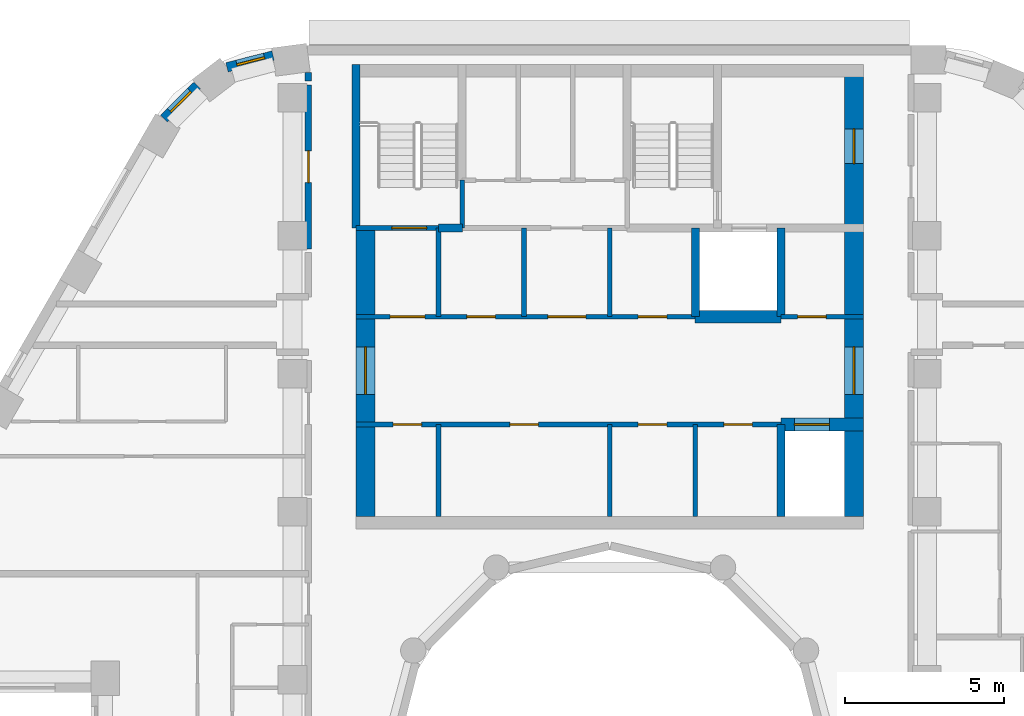
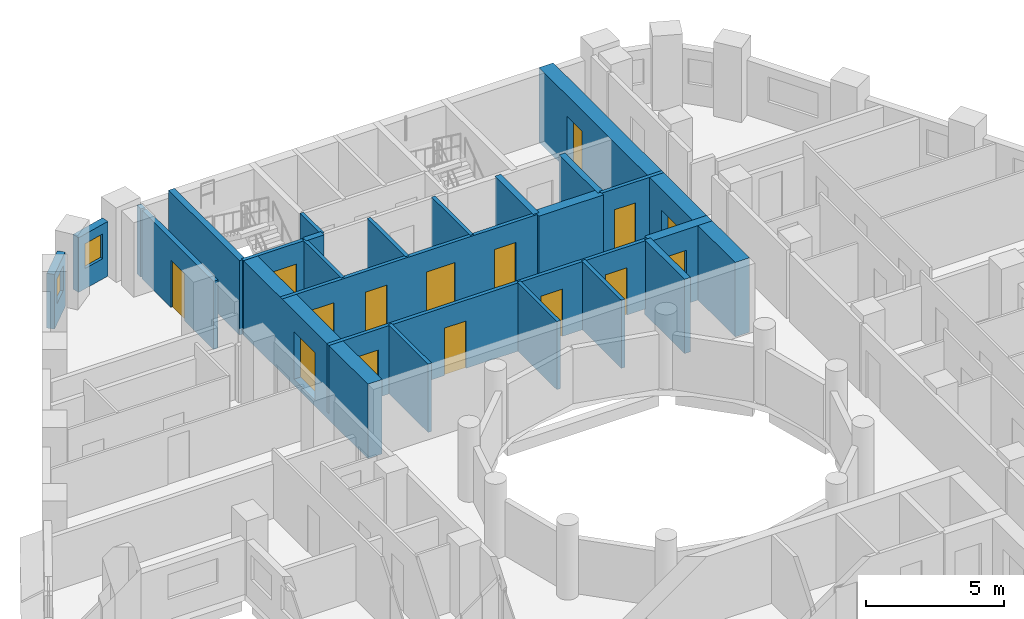
# One storey, part 7 of 12: 24 walls, 15 doors, 2 windows, 17 openings.
"""IFC4 building model written with IfcOpenShell, lengths in metres."""

from ifc_helpers import new_model, si_unit, direction, frame, frame_2d, origin, place, context, subcontext, project, spatial, rectangle, extrude, material, layer, layer_set, type_object, element, fill, save


model = new_model("IFC4")

# Units and contexts
model_context = context("Model", 3, precision=1e-05, world=origin(), true_north=direction((0.0, 1.0)))
body_context = subcontext(model_context, "Body", "Model", "MODEL_VIEW")
ifc_project = project(units=[si_unit("LENGTHUNIT", "METRE"), si_unit("AREAUNIT", "SQUARE_METRE"), si_unit("VOLUMEUNIT", "CUBIC_METRE"), si_unit("PLANEANGLEUNIT", "RADIAN"), si_unit("MASSUNIT", "GRAM", prefix="KILO")], contexts=[model_context])

# Site, building, storey
site_placement = place(None, origin())
site = spatial("IfcSite", under=ifc_project, at=site_placement, CompositionType="ELEMENT")
building_placement = place(site_placement, origin())
building = spatial("IfcBuilding", under=site, at=building_placement, Name="Nakaniwa Court", CompositionType="ELEMENT")
storey_placement = place(building_placement, frame((0.0, 0.0, 249.300048828125)))
storey = spatial("IfcBuildingStorey", under=building, at=storey_placement, Name="L65", CompositionType="ELEMENT", Elevation=249.300048828125)

# Wall, opening, door
ifc_material_1 = material(Name="Acoustic double stud partition")
ifc_layer_1 = layer(ifc_material_1, 0.199951171875)
ifc_layer_set_1 = layer_set([ifc_layer_1], Name="Acoustic double stud partition")
wall_type_1 = type_object("IfcWallType", Name="Acoustic double stud partition 200", PredefinedType="PARTITIONING", material=ifc_layer_set_1)
wall_1_placement = place(storey_placement, frame((70.5, 96.237060546875, 0.0), z_axis=(0.0, 0.0, 1.0), x_axis=(0.0, 1.0, 0.0)))
wall_1 = element("IfcWall", 1, at=wall_1_placement, inside=storey, type_object=wall_type_1, Name="Partition PW-094", PredefinedType="PARTITIONING", context=body_context, shape_type="SweptSolid", body=[
    extrude(rectangle(XDim=5.176025390625, YDim=0.199951171875, at=frame_2d((2.587890625, 0.0))), origin(), (0.0, 0.0, 1.0), 3.02490234375),
])
opening_1_placement = place(wall_1_placement, frame((2.087890625, 0.0, 0.0)))
opening_1 = element("IfcOpeningElement", 2, at=opening_1_placement, cuts=wall_1, Name="Opening D-02-06", PredefinedType="OPENING", context=body_context, shape_type="SweptSolid", body=[
    extrude(rectangle(XDim=1.0, YDim=2.10009765625, at=frame_2d((0.5, 1.050048828125))), frame((0.0, 0.10986328125, 0.0), z_axis=(0.0, -1.0, 0.0), x_axis=(1.0, 0.0, 0.0)), (0.0, 0.0, 1.0), 0.219970703125),
])
ifc_material_2 = material(Name="Solid core timber door set, black veneer", Category="wood")
door_type_1 = type_object("IfcDoorType", Name="Internal door 1000", OperationType="NOTDEFINED", PredefinedType="DOOR", material=ifc_material_2)
door_1_placement = place(opening_1_placement, origin())
door_1 = element("IfcDoor", 3, at=door_1_placement, inside=storey, type_object=door_type_1, Name="Door D-02-06 L65-062", OperationType="SINGLE_SWING_LEFT", OverallHeight=2.10009765625, OverallWidth=1.0, PredefinedType="DOOR", context=body_context, shape_type="SweptSolid", body=[
    extrude(rectangle(XDim=1.0, YDim=2.10009765625, at=frame_2d((0.5, 1.050048828125))), frame((0.0, 0.02490234375, 0.0), z_axis=(0.0, -1.0, 0.0), x_axis=(1.0, 0.0, 0.0)), (0.0, 0.0, 1.0), 0.050048828125),
])
fill(opening_1, door_1)

# Wall
wall_2_placement = place(storey_placement, frame((70.5, 101.527099609375, 0.0), z_axis=(0.0, 0.0, 1.0), x_axis=(0.0, 1.0, 0.0)))
element("IfcWall", 4, at=wall_2_placement, inside=storey, type_object=wall_type_1, Name="Partition PW-095", PredefinedType="PARTITIONING", context=body_context, shape_type="SweptSolid", body=[
    extrude(rectangle(XDim=0.273681640625, YDim=0.199951171875, at=frame_2d((0.13671875, 0.0))), origin(), (0.0, 0.0, 1.0), 3.02490234375),
])

# Wall, opening, window
ifc_material_3 = material(Name="Charcoal ceramic cladding")
ifc_layer_2 = layer(ifc_material_3, 0.02, Name="Ceramic cladding")
ifc_material_4 = material(Name="Ventilated air cavity")
ifc_layer_3 = layer(ifc_material_4, 0.04, ventilated=True, Name="Ventilated cavity")
ifc_material_5 = material(Name="Mineral wool insulation")
ifc_layer_4 = layer(ifc_material_5, 0.1, Name="Insulation")
ifc_material_6 = material(Name="Cement bonded sheathing board")
ifc_layer_5 = layer(ifc_material_6, 0.012, Name="Sheathing")
ifc_material_7 = material(Name="Cold-formed galvanised stud frame with mineral wool infill")
ifc_layer_6 = layer(ifc_material_7, 0.1, Name="Stud frame")
ifc_material_8 = material(Name="Fire-rated gypsum plasterboard lining")
ifc_layer_7 = layer(ifc_material_8, 0.028, Name="Lining")
ifc_layer_set_2 = layer_set([ifc_layer_2, ifc_layer_3, ifc_layer_4, ifc_layer_5, ifc_layer_6, ifc_layer_7], Name="Charcoal ceramic faced external wall system")
wall_type_2 = type_object("IfcWallType", Name="Black ceramic faced external wall 300", PredefinedType="SOLIDWALL", material=ifc_layer_set_2)
wall_3_placement = place(storey_placement, frame((69.386474609375, 102.333251953125, 0.0), z_axis=(0.0, 0.0, 1.0), x_axis=(-0.968895303033, -0.247470991757, 0.0)))
wall_3 = element("IfcWall", 5, at=wall_3_placement, inside=storey, type_object=wall_type_2, Name="L65 external wall 09", PredefinedType="SOLIDWALL", context=body_context, shape_type="SweptSolid", body=[
    extrude(rectangle(XDim=1.50048828125, YDim=0.300048828125, at=frame_2d((0.750244140625, 0.0))), origin(), (0.0, 0.0, 1.0), 2.425048828125),
])
opening_2_placement = place(wall_3_placement, frame((0.27587890625, 0.0, 0.89990234375)))
opening_2 = element("IfcOpeningElement", 6, at=opening_2_placement, cuts=wall_3, Name="Opening W9.10", PredefinedType="OPENING", context=body_context, shape_type="SweptSolid", body=[
    extrude(rectangle(XDim=0.89990234375, YDim=1.10009765625, at=frame_2d((0.449951171875, 0.550048828125))), frame((0.0, 0.159912109375, 0.0), z_axis=(0.0, -1.0, 0.0), x_axis=(1.0, 0.0, 0.0)), (0.0, 0.0, 1.0), 0.320068359375),
])
ifc_material_9 = material(Name="Black anodised aluminium frame with dark low-E laminated double glazing", Category="aluminium")
window_type = type_object("IfcWindowType", Name="Dark glass window 900x1100 sill 900", PartitioningType="SINGLE_PANEL", PredefinedType="WINDOW", material=ifc_material_9)
window_1_placement = place(opening_2_placement, origin())
window_1 = element("IfcWindow", 7, at=window_1_placement, inside=storey, type_object=window_type, Name="L65 habitable room window 09-0", OverallHeight=1.10009765625, OverallWidth=0.89990234375, PartitioningType="SINGLE_PANEL", PredefinedType="WINDOW", context=body_context, shape_type="SweptSolid", body=[
    extrude(rectangle(XDim=0.89990234375, YDim=1.10009765625, at=frame_2d((0.449951171875, 0.550048828125))), frame((0.0, 0.030029296875, 0.0), z_axis=(0.0, -1.0, 0.0), x_axis=(1.0, 0.0, 0.0)), (0.0, 0.0, 1.0), 0.06005859375),
])
fill(opening_2, window_1)

wall_4_placement = place(storey_placement, frame((66.99560546875, 101.388427734375, 0.0), z_axis=(0.0, 0.0, 1.0), x_axis=(-0.708589353117, -0.705621094249, 0.0)))
wall_4 = element("IfcWall", 8, at=wall_4_placement, inside=storey, type_object=wall_type_2, Name="L65 external wall 10", PredefinedType="SOLIDWALL", context=body_context, shape_type="SweptSolid", body=[
    extrude(rectangle(XDim=1.48046875, YDim=0.300048828125, at=frame_2d((0.740234375, 0.0))), origin(), (0.0, 0.0, 1.0), 2.425048828125),
])
opening_3_placement = place(wall_4_placement, frame((0.27978515625, 0.0, 0.89990234375)))
opening_3 = element("IfcOpeningElement", 9, at=opening_3_placement, cuts=wall_4, Name="Opening W9.11", PredefinedType="OPENING", context=body_context, shape_type="SweptSolid", body=[
    extrude(rectangle(XDim=0.89990234375, YDim=1.10009765625, at=frame_2d((0.449951171875, 0.550048828125))), frame((0.0, 0.159912109375, 0.0), z_axis=(0.0, -1.0, 0.0), x_axis=(1.0, 0.0, 0.0)), (0.0, 0.0, 1.0), 0.320068359375),
])
window_2_placement = place(opening_3_placement, origin())
window_2 = element("IfcWindow", 10, at=window_2_placement, inside=storey, type_object=window_type, Name="L65 habitable room window 10-0", OverallHeight=1.10009765625, OverallWidth=0.89990234375, PartitioningType="SINGLE_PANEL", PredefinedType="WINDOW", context=body_context, shape_type="SweptSolid", body=[
    extrude(rectangle(XDim=0.89990234375, YDim=1.10009765625, at=frame_2d((0.449951171875, 0.550048828125))), frame((0.0, 0.030029296875, 0.0), z_axis=(0.0, -1.0, 0.0), x_axis=(1.0, 0.0, 0.0)), (0.0, 0.0, 1.0), 0.06005859375),
])
fill(opening_3, window_2)

# Walls
ifc_material_10 = material(Name="Blockwork partition", Category="masonry")
ifc_layer_8 = layer(ifc_material_10, 0.14990234375)
ifc_layer_set_3 = layer_set([ifc_layer_8], Name="Blockwork partition")
wall_type_3 = type_object("IfcWallType", Name="Blockwork partition 150", PredefinedType="PARTITIONING", material=ifc_layer_set_3)
wall_5_placement = place(storey_placement, frame((74.60009765625, 87.800048828125, 0.0), z_axis=(0.0, 0.0, 1.0), x_axis=(0.0, 1.0, 0.0)))
element("IfcWall", 11, at=wall_5_placement, inside=storey, type_object=wall_type_3, Name="Partition PW-001", PredefinedType="PARTITIONING", context=body_context, shape_type="SweptSolid", body=[
    extrude(rectangle(XDim=2.89990234375, YDim=0.14990234375, at=frame_2d((1.449951171875, 0.0))), origin(), (0.0, 0.0, 1.0), 3.02490234375),
])
wall_6_placement = place(storey_placement, frame((74.60009765625, 94.10009765625, 0.0), z_axis=(0.0, 0.0, 1.0), x_axis=(0.0, 1.0, 0.0)))
element("IfcWall", 12, at=wall_6_placement, inside=storey, type_object=wall_type_3, Name="Partition PW-002", PredefinedType="PARTITIONING", context=body_context, shape_type="SweptSolid", body=[
    extrude(rectangle(XDim=2.7998046875, YDim=0.14990234375, at=frame_2d((1.39990234375, 0.0))), origin(), (0.0, 0.0, 1.0), 3.02490234375),
])

# Wall, openings, doors
wall_7_placement = place(storey_placement, frame((85.39990234375, 90.699951171875, 0.0), z_axis=(0.0, 0.0, 1.0), x_axis=(-1.0, 0.0, 0.0)))
wall_7 = element("IfcWall", 13, at=wall_7_placement, inside=storey, type_object=wall_type_3, Name="Partition PW-003", PredefinedType="PARTITIONING", context=body_context, shape_type="SweptSolid", body=[
    extrude(rectangle(XDim=13.39990234375, YDim=0.14990234375, at=frame_2d((6.699951171875, 0.0))), origin(), (0.0, 0.0, 1.0), 3.02490234375),
])
opening_4_placement = place(wall_7_placement, frame((11.324951171875, 0.0, 0.0)))
opening_4 = element("IfcOpeningElement", 14, at=opening_4_placement, cuts=wall_7, Name="Opening D-05-01", PredefinedType="OPENING", context=body_context, shape_type="SweptSolid", body=[
    extrude(rectangle(XDim=0.89990234375, YDim=2.10009765625, at=frame_2d((0.449951171875, 1.050048828125))), frame((0.0, 0.0849609375, 0.0), z_axis=(0.0, -1.0, 0.0), x_axis=(1.0, 0.0, 0.0)), (0.0, 0.0, 1.0), 0.169921875),
])
opening_5_placement = place(wall_7_placement, frame((7.64990234375, 0.0, 0.0)))
opening_5 = element("IfcOpeningElement", 15, at=opening_5_placement, cuts=wall_7, Name="Opening D-05-02", PredefinedType="OPENING", context=body_context, shape_type="SweptSolid", body=[
    extrude(rectangle(XDim=0.89990234375, YDim=2.10009765625, at=frame_2d((0.449951171875, 1.050048828125))), frame((0.0, 0.0849609375, 0.0), z_axis=(0.0, -1.0, 0.0), x_axis=(1.0, 0.0, 0.0)), (0.0, 0.0, 1.0), 0.169921875),
])
opening_6_placement = place(wall_7_placement, frame((3.60009765625, 0.0, 0.0)))
opening_6 = element("IfcOpeningElement", 16, at=opening_6_placement, cuts=wall_7, Name="Opening D-05-03", PredefinedType="OPENING", context=body_context, shape_type="SweptSolid", body=[
    extrude(rectangle(XDim=0.89990234375, YDim=2.10009765625, at=frame_2d((0.449951171875, 1.050048828125))), frame((0.0, 0.0849609375, 0.0), z_axis=(0.0, -1.0, 0.0), x_axis=(1.0, 0.0, 0.0)), (0.0, 0.0, 1.0), 0.169921875),
])
opening_7_placement = place(wall_7_placement, frame((0.89990234375, 0.0, 0.0)))
opening_7 = element("IfcOpeningElement", 17, at=opening_7_placement, cuts=wall_7, Name="Opening D-05-04", PredefinedType="OPENING", context=body_context, shape_type="SweptSolid", body=[
    extrude(rectangle(XDim=0.89990234375, YDim=2.10009765625, at=frame_2d((0.449951171875, 1.050048828125))), frame((0.0, 0.0849609375, 0.0), z_axis=(0.0, -1.0, 0.0), x_axis=(1.0, 0.0, 0.0)), (0.0, 0.0, 1.0), 0.169921875),
])
ifc_material_11 = material(Name="Fire rated steel door set", Category="steel")
door_type_2 = type_object("IfcDoorType", Name="Service room door 900", OperationType="NOTDEFINED", PredefinedType="DOOR", material=ifc_material_11)
door_2_placement = place(opening_4_placement, origin())
door_2 = element("IfcDoor", 18, at=door_2_placement, inside=storey, type_object=door_type_2, Name="Door D-05-01 L65-001", OperationType="SINGLE_SWING_RIGHT", OverallHeight=2.10009765625, OverallWidth=0.89990234375, PredefinedType="DOOR", context=body_context, shape_type="SweptSolid", body=[
    extrude(rectangle(XDim=0.89990234375, YDim=2.10009765625, at=frame_2d((0.449951171875, 1.050048828125))), frame((0.0, 0.02490234375, 0.0), z_axis=(0.0, -1.0, 0.0), x_axis=(1.0, 0.0, 0.0)), (0.0, 0.0, 1.0), 0.050048828125),
])
fill(opening_4, door_2)
door_3_placement = place(opening_5_placement, origin())
door_3 = element("IfcDoor", 19, at=door_3_placement, inside=storey, type_object=door_type_2, Name="Door D-05-02 L65-002", OperationType="SINGLE_SWING_LEFT", OverallHeight=2.10009765625, OverallWidth=0.89990234375, PredefinedType="DOOR", context=body_context, shape_type="SweptSolid", body=[
    extrude(rectangle(XDim=0.89990234375, YDim=2.10009765625, at=frame_2d((0.449951171875, 1.050048828125))), frame((0.0, 0.02490234375, 0.0), z_axis=(0.0, -1.0, 0.0), x_axis=(1.0, 0.0, 0.0)), (0.0, 0.0, 1.0), 0.050048828125),
])
fill(opening_5, door_3)
door_4_placement = place(opening_6_placement, origin())
door_4 = element("IfcDoor", 20, at=door_4_placement, inside=storey, type_object=door_type_2, Name="Door D-05-03 L65-003", OperationType="SINGLE_SWING_RIGHT", OverallHeight=2.10009765625, OverallWidth=0.89990234375, PredefinedType="DOOR", context=body_context, shape_type="SweptSolid", body=[
    extrude(rectangle(XDim=0.89990234375, YDim=2.10009765625, at=frame_2d((0.449951171875, 1.050048828125))), frame((0.0, 0.02490234375, 0.0), z_axis=(0.0, -1.0, 0.0), x_axis=(1.0, 0.0, 0.0)), (0.0, 0.0, 1.0), 0.050048828125),
])
fill(opening_6, door_4)
door_5_placement = place(opening_7_placement, origin())
door_5 = element("IfcDoor", 21, at=door_5_placement, inside=storey, type_object=door_type_2, Name="Door D-05-04 L65-004", OperationType="SINGLE_SWING_LEFT", OverallHeight=2.10009765625, OverallWidth=0.89990234375, PredefinedType="DOOR", context=body_context, shape_type="SweptSolid", body=[
    extrude(rectangle(XDim=0.89990234375, YDim=2.10009765625, at=frame_2d((0.449951171875, 1.050048828125))), frame((0.0, 0.02490234375, 0.0), z_axis=(0.0, -1.0, 0.0), x_axis=(1.0, 0.0, 0.0)), (0.0, 0.0, 1.0), 0.050048828125),
])
fill(opening_7, door_5)

# Walls
wall_8_placement = place(storey_placement, frame((80.0, 87.800048828125, 0.0), z_axis=(0.0, 0.0, 1.0), x_axis=(0.0, 1.0, 0.0)))
element("IfcWall", 22, at=wall_8_placement, inside=storey, type_object=wall_type_3, Name="Partition PW-009", PredefinedType="PARTITIONING", context=body_context, shape_type="SweptSolid", body=[
    extrude(rectangle(XDim=2.89990234375, YDim=0.14990234375, at=frame_2d((1.449951171875, 0.0))), origin(), (0.0, 0.0, 1.0), 3.02490234375),
])
wall_9_placement = place(storey_placement, frame((80.0, 94.10009765625, 0.0), z_axis=(0.0, 0.0, 1.0), x_axis=(0.0, 1.0, 0.0)))
element("IfcWall", 23, at=wall_9_placement, inside=storey, type_object=wall_type_3, Name="Partition PW-010", PredefinedType="PARTITIONING", context=body_context, shape_type="SweptSolid", body=[
    extrude(rectangle(XDim=2.7998046875, YDim=0.14990234375, at=frame_2d((1.39990234375, 0.0))), origin(), (0.0, 0.0, 1.0), 3.02490234375),
])
wall_10_placement = place(storey_placement, frame((82.699951171875, 87.800048828125, 0.0), z_axis=(0.0, 0.0, 1.0), x_axis=(0.0, 1.0, 0.0)))
element("IfcWall", 24, at=wall_10_placement, inside=storey, type_object=wall_type_3, Name="Partition PW-011", PredefinedType="PARTITIONING", context=body_context, shape_type="SweptSolid", body=[
    extrude(rectangle(XDim=2.89990234375, YDim=0.14990234375, at=frame_2d((1.449951171875, 0.0))), origin(), (0.0, 0.0, 1.0), 3.02490234375),
])

# Wall, openings, doors
wall_11_placement = place(storey_placement, frame((72.0, 94.10009765625, 0.0), z_axis=(0.0, 0.0, 1.0), x_axis=(1.0, 0.0, 0.0)))
wall_11 = element("IfcWall", 25, at=wall_11_placement, inside=storey, type_object=wall_type_3, Name="Partition PW-012", PredefinedType="PARTITIONING", context=body_context, shape_type="SweptSolid", body=[
    extrude(rectangle(XDim=10.702880859375, YDim=0.14990234375, at=frame_2d((5.3515625, 0.0))), origin(), (0.0, 0.0, 1.0), 3.02490234375),
])
opening_8_placement = place(wall_11_placement, frame((1.074951171875, 0.0, 0.0)))
opening_8 = element("IfcOpeningElement", 26, at=opening_8_placement, cuts=wall_11, Name="Opening D-08-01", PredefinedType="OPENING", context=body_context, shape_type="SweptSolid", body=[
    extrude(rectangle(XDim=1.10009765625, YDim=2.10009765625, at=frame_2d((0.550048828125, 1.050048828125))), frame((0.0, 0.0849609375, 0.0), z_axis=(0.0, -1.0, 0.0), x_axis=(1.0, 0.0, 0.0)), (0.0, 0.0, 1.0), 0.169921875),
])
opening_9_placement = place(wall_11_placement, frame((3.5, 0.0, 0.0)))
opening_9 = element("IfcOpeningElement", 27, at=opening_9_placement, cuts=wall_11, Name="Opening D-05-05", PredefinedType="OPENING", context=body_context, shape_type="SweptSolid", body=[
    extrude(rectangle(XDim=0.89990234375, YDim=2.10009765625, at=frame_2d((0.449951171875, 1.050048828125))), frame((0.0, 0.0849609375, 0.0), z_axis=(0.0, -1.0, 0.0), x_axis=(1.0, 0.0, 0.0)), (0.0, 0.0, 1.0), 0.169921875),
])
opening_10_placement = place(wall_11_placement, frame((6.050048828125, 0.0, 0.0)))
opening_10 = element("IfcOpeningElement", 28, at=opening_10_placement, cuts=wall_11, Name="Opening D-06-01", PredefinedType="OPENING", context=body_context, shape_type="SweptSolid", body=[
    extrude(rectangle(XDim=1.199951171875, YDim=2.10009765625, at=frame_2d((0.60009765625, 1.050048828125))), frame((0.0, 0.0849609375, 0.0), z_axis=(0.0, -1.0, 0.0), x_axis=(1.0, 0.0, 0.0)), (0.0, 0.0, 1.0), 0.169921875),
])
opening_11_placement = place(wall_11_placement, frame((8.89990234375, 0.0, 0.0)))
opening_11 = element("IfcOpeningElement", 29, at=opening_11_placement, cuts=wall_11, Name="Opening D-05-06", PredefinedType="OPENING", context=body_context, shape_type="SweptSolid", body=[
    extrude(rectangle(XDim=0.89990234375, YDim=2.10009765625, at=frame_2d((0.449951171875, 1.050048828125))), frame((0.0, 0.0849609375, 0.0), z_axis=(0.0, -1.0, 0.0), x_axis=(1.0, 0.0, 0.0)), (0.0, 0.0, 1.0), 0.169921875),
])
ifc_material_12 = material(Name="Fire rated steel double door set", Category="steel")
door_type_3 = type_object("IfcDoorType", Name="Service passage double door 1200", OperationType="NOTDEFINED", PredefinedType="DOOR", material=ifc_material_12)
door_6_placement = place(opening_10_placement, origin())
door_6 = element("IfcDoor", 30, at=door_6_placement, inside=storey, type_object=door_type_3, Name="Door D-06-01 L65-007", OperationType="DOUBLE_DOOR_SINGLE_SWING", OverallHeight=2.10009765625, OverallWidth=1.199951171875, PredefinedType="DOOR", context=body_context, shape_type="SweptSolid", body=[
    extrude(rectangle(XDim=1.199951171875, YDim=2.10009765625, at=frame_2d((0.60009765625, 1.050048828125))), frame((0.0, 0.02490234375, 0.0), z_axis=(0.0, -1.0, 0.0), x_axis=(1.0, 0.0, 0.0)), (0.0, 0.0, 1.0), 0.050048828125),
])
fill(opening_10, door_6)
door_7_placement = place(opening_9_placement, origin())
door_7 = element("IfcDoor", 31, at=door_7_placement, inside=storey, type_object=door_type_2, Name="Door D-05-05 L65-006", OperationType="SINGLE_SWING_LEFT", OverallHeight=2.10009765625, OverallWidth=0.89990234375, PredefinedType="DOOR", context=body_context, shape_type="SweptSolid", body=[
    extrude(rectangle(XDim=0.89990234375, YDim=2.10009765625, at=frame_2d((0.449951171875, 1.050048828125))), frame((0.0, 0.02490234375, 0.0), z_axis=(0.0, -1.0, 0.0), x_axis=(1.0, 0.0, 0.0)), (0.0, 0.0, 1.0), 0.050048828125),
])
fill(opening_9, door_7)
door_8_placement = place(opening_11_placement, origin())
door_8 = element("IfcDoor", 32, at=door_8_placement, inside=storey, type_object=door_type_2, Name="Door D-05-06 L65-008", OperationType="SINGLE_SWING_LEFT", OverallHeight=2.10009765625, OverallWidth=0.89990234375, PredefinedType="DOOR", context=body_context, shape_type="SweptSolid", body=[
    extrude(rectangle(XDim=0.89990234375, YDim=2.10009765625, at=frame_2d((0.449951171875, 1.050048828125))), frame((0.0, 0.02490234375, 0.0), z_axis=(0.0, -1.0, 0.0), x_axis=(1.0, 0.0, 0.0)), (0.0, 0.0, 1.0), 0.050048828125),
])
fill(opening_11, door_8)
door_type_4 = type_object("IfcDoorType", Name="Stair lobby door 1100", OperationType="NOTDEFINED", PredefinedType="DOOR", material=ifc_material_11)
door_9_placement = place(opening_8_placement, origin())
door_9 = element("IfcDoor", 33, at=door_9_placement, inside=storey, type_object=door_type_4, Name="Door D-08-01 L65-005", OperationType="SINGLE_SWING_RIGHT", OverallHeight=2.10009765625, OverallWidth=1.10009765625, PredefinedType="DOOR", context=body_context, shape_type="SweptSolid", body=[
    extrude(rectangle(XDim=1.10009765625, YDim=2.10009765625, at=frame_2d((0.550048828125, 1.050048828125))), frame((0.0, 0.02490234375, 0.0), z_axis=(0.0, -1.0, 0.0), x_axis=(1.0, 0.0, 0.0)), (0.0, 0.0, 1.0), 0.050048828125),
])
fill(opening_8, door_9)

# Wall, opening, door
wall_12_placement = place(storey_placement, frame((85.39697265625, 94.10009765625, 0.0), z_axis=(0.0, 0.0, 1.0), x_axis=(1.0, 0.0, 0.0)))
wall_12 = element("IfcWall", 34, at=wall_12_placement, inside=storey, type_object=wall_type_3, Name="Partition PW-013", PredefinedType="PARTITIONING", context=body_context, shape_type="SweptSolid", body=[
    extrude(rectangle(XDim=2.60302734375, YDim=0.14990234375, at=frame_2d((1.301513671875, 0.0))), origin(), (0.0, 0.0, 1.0), 3.02490234375),
])
opening_12_placement = place(wall_12_placement, frame((0.528076171875, 0.0, 0.0)))
opening_12 = element("IfcOpeningElement", 35, at=opening_12_placement, cuts=wall_12, Name="Opening D-05-07", PredefinedType="OPENING", context=body_context, shape_type="SweptSolid", body=[
    extrude(rectangle(XDim=0.89990234375, YDim=2.10009765625, at=frame_2d((0.449951171875, 1.050048828125))), frame((0.0, 0.0849609375, 0.0), z_axis=(0.0, -1.0, 0.0), x_axis=(1.0, 0.0, 0.0)), (0.0, 0.0, 1.0), 0.169921875),
])
door_10_placement = place(opening_12_placement, origin())
door_10 = element("IfcDoor", 36, at=door_10_placement, inside=storey, type_object=door_type_2, Name="Door D-05-07 L65-009", OperationType="SINGLE_SWING_RIGHT", OverallHeight=2.10009765625, OverallWidth=0.89990234375, PredefinedType="DOOR", context=body_context, shape_type="SweptSolid", body=[
    extrude(rectangle(XDim=0.89990234375, YDim=2.10009765625, at=frame_2d((0.449951171875, 1.050048828125))), frame((0.0, 0.02490234375, 0.0), z_axis=(0.0, -1.0, 0.0), x_axis=(1.0, 0.0, 0.0)), (0.0, 0.0, 1.0), 0.050048828125),
])
fill(opening_12, door_10)

# Wall
wall_13_placement = place(storey_placement, frame((77.300048828125, 94.10009765625, 0.0), z_axis=(0.0, 0.0, 1.0), x_axis=(0.0, 1.0, 0.0)))
element("IfcWall", 37, at=wall_13_placement, inside=storey, type_object=wall_type_3, Name="Partition PW-016", PredefinedType="PARTITIONING", context=body_context, shape_type="SweptSolid", body=[
    extrude(rectangle(XDim=2.7998046875, YDim=0.14990234375, at=frame_2d((1.39990234375, 0.0))), origin(), (0.0, 0.0, 1.0), 3.02490234375),
])

# Wall, opening, door
ifc_material_13 = material(Name="Concrete C80/100", Category="concrete")
ifc_layer_9 = layer(ifc_material_13, 0.60009765625)
ifc_layer_set_4 = layer_set([ifc_layer_9], Name="Concrete C80/100")
wall_type_4 = type_object("IfcWallType", Name="Concrete core side wall 600 C80", PredefinedType="SHEAR", material=ifc_layer_set_4)
wall_14_placement = place(storey_placement, frame((72.300048828125, 87.800048828125, -0.275146484375), z_axis=(0.0, 0.0, 1.0), x_axis=(0.0, 1.0, 0.0)))
wall_14 = element("IfcWall", 38, at=wall_14_placement, inside=storey, type_object=wall_type_4, Name="Core wall SW-04", PredefinedType="SHEAR", context=body_context, shape_type="SweptSolid", body=[
    extrude(rectangle(XDim=9.099853515625, YDim=0.60009765625, at=frame_2d((4.5498046875, 0.0))), origin(), (0.0, 0.0, 1.0), 3.300048828125),
])
opening_13_placement = place(wall_14_placement, frame((3.85009765625, 0.0, 0.27490234375)))
opening_13 = element("IfcOpeningElement", 39, at=opening_13_placement, cuts=wall_14, Name="Opening D-07-02", PredefinedType="OPENING", context=body_context, shape_type="SweptSolid", body=[
    extrude(rectangle(XDim=1.5, YDim=2.10009765625, at=frame_2d((0.75, 1.050048828125))), frame((0.0, 0.31005859375, 0.0), z_axis=(0.0, -1.0, 0.0), x_axis=(1.0, 0.0, 0.0)), (0.0, 0.0, 1.0), 0.6201171875),
])
ifc_material_14 = material(Name="Glazed fire rated steel double door set", Category="steel")
door_type_5 = type_object("IfcDoorType", Name="Lobby double door 1500", OperationType="NOTDEFINED", PredefinedType="DOOR", material=ifc_material_14)
door_11_placement = place(opening_13_placement, origin())
door_11 = element("IfcDoor", 40, at=door_11_placement, inside=storey, type_object=door_type_5, Name="Door D-07-02 L65-064", OperationType="DOUBLE_DOOR_SINGLE_SWING", OverallHeight=2.10009765625, OverallWidth=1.5, PredefinedType="DOOR", context=body_context, shape_type="SweptSolid", body=[
    extrude(rectangle(XDim=1.5, YDim=2.10009765625, at=frame_2d((0.75, 1.050048828125))), frame((0.0, 0.02490234375, 0.0), z_axis=(0.0, -1.0, 0.0), x_axis=(1.0, 0.0, 0.0)), (0.0, 0.0, 1.0), 0.050048828125),
])
fill(opening_13, door_11)

# Wall, openings, doors
wall_15_placement = place(storey_placement, frame((87.699951171875, 102.050048828125, -0.275146484375), z_axis=(0.0, 0.0, 1.0), x_axis=(0.0, -1.0, 0.0)))
wall_15 = element("IfcWall", 41, at=wall_15_placement, inside=storey, type_object=wall_type_4, Name="Core wall SW-08", PredefinedType="SHEAR", context=body_context, shape_type="SweptSolid", body=[
    extrude(rectangle(XDim=14.25, YDim=0.60009765625, at=frame_2d((7.125, 0.0))), origin(), (0.0, 0.0, 1.0), 3.300048828125),
])
opening_14_placement = place(wall_15_placement, frame((8.89990234375, 0.0, 0.27490234375)))
opening_14 = element("IfcOpeningElement", 42, at=opening_14_placement, cuts=wall_15, Name="Opening D-07-01", PredefinedType="OPENING", context=body_context, shape_type="SweptSolid", body=[
    extrude(rectangle(XDim=1.5, YDim=2.10009765625, at=frame_2d((0.75, 1.050048828125))), frame((0.0, 0.31005859375, 0.0), z_axis=(0.0, -1.0, 0.0), x_axis=(1.0, 0.0, 0.0)), (0.0, 0.0, 1.0), 0.6201171875),
])
opening_15_placement = place(wall_15_placement, frame((2.02490234375, 0.0, 0.27490234375)))
opening_15 = element("IfcOpeningElement", 43, at=opening_15_placement, cuts=wall_15, Name="Opening D-10-01", PredefinedType="OPENING", context=body_context, shape_type="SweptSolid", body=[
    extrude(rectangle(XDim=1.10009765625, YDim=2.10009765625, at=frame_2d((0.550048828125, 1.050048828125))), frame((0.0, 0.31005859375, 0.0), z_axis=(0.0, -1.0, 0.0), x_axis=(1.0, 0.0, 0.0)), (0.0, 0.0, 1.0), 0.6201171875),
])
door_type_6 = type_object("IfcDoorType", Name="Firefighting lobby door 1100", OperationType="NOTDEFINED", PredefinedType="DOOR", material=ifc_material_11)
door_12_placement = place(opening_15_placement, origin())
door_12 = element("IfcDoor", 44, at=door_12_placement, inside=storey, type_object=door_type_6, Name="Door D-10-01 L65-065", OperationType="SINGLE_SWING_RIGHT", OverallHeight=2.10009765625, OverallWidth=1.10009765625, PredefinedType="DOOR", context=body_context, shape_type="SweptSolid", body=[
    extrude(rectangle(XDim=1.10009765625, YDim=2.10009765625, at=frame_2d((0.550048828125, 1.050048828125))), frame((0.0, 0.02490234375, 0.0), z_axis=(0.0, -1.0, 0.0), x_axis=(1.0, 0.0, 0.0)), (0.0, 0.0, 1.0), 0.050048828125),
])
fill(opening_15, door_12)
door_13_placement = place(opening_14_placement, origin())
door_13 = element("IfcDoor", 45, at=door_13_placement, inside=storey, type_object=door_type_5, Name="Door D-07-01 L65-063", OperationType="DOUBLE_DOOR_SINGLE_SWING", OverallHeight=2.10009765625, OverallWidth=1.5, PredefinedType="DOOR", context=body_context, shape_type="SweptSolid", body=[
    extrude(rectangle(XDim=1.5, YDim=2.10009765625, at=frame_2d((0.75, 1.050048828125))), frame((0.0, 0.02490234375, 0.0), z_axis=(0.0, -1.0, 0.0), x_axis=(1.0, 0.0, 0.0)), (0.0, 0.0, 1.0), 0.050048828125),
])
fill(opening_14, door_13)

# Wall, opening, door
ifc_layer_10 = layer(ifc_material_13, 0.39990234375)
ifc_layer_set_5 = layer_set([ifc_layer_10], Name="Concrete C80/100")
wall_type_5 = type_object("IfcWallType", Name="Concrete core spine wall 400 C80", PredefinedType="SHEAR", material=ifc_layer_set_5)
wall_16_placement = place(storey_placement, frame((85.39990234375, 90.699951171875, -0.275146484375), z_axis=(0.0, 0.0, 1.0), x_axis=(1.0, 0.0, 0.0)))
wall_16 = element("IfcWall", 46, at=wall_16_placement, inside=storey, type_object=wall_type_5, Name="Core wall SW-07", PredefinedType="SHEAR", context=body_context, shape_type="SweptSolid", body=[
    extrude(rectangle(XDim=2.60009765625, YDim=0.39990234375, at=frame_2d((1.300048828125, 0.0))), origin(), (0.0, 0.0, 1.0), 3.300048828125),
])
opening_16_placement = place(wall_16_placement, frame((0.425048828125, 0.0, 0.27490234375)))
opening_16 = element("IfcOpeningElement", 47, at=opening_16_placement, cuts=wall_16, Name="Opening LD01", PredefinedType="OPENING", context=body_context, shape_type="SweptSolid", body=[
    extrude(rectangle(XDim=1.10009765625, YDim=2.10009765625, at=frame_2d((0.550048828125, 1.050048828125))), frame((0.0, 0.2099609375, 0.0), z_axis=(0.0, -1.0, 0.0), x_axis=(1.0, 0.0, 0.0)), (0.0, 0.0, 1.0), 0.419921875),
])
ifc_material_15 = material(Name="Stainless steel sliding lift landing door", Category="steel")
door_type_7 = type_object("IfcDoorType", Name="Lift landing door 1100", OperationType="NOTDEFINED", PredefinedType="DOOR", material=ifc_material_15)
door_14_placement = place(opening_16_placement, origin())
door_14 = element("IfcDoor", 48, at=door_14_placement, inside=storey, type_object=door_type_7, Name="Lift landing door LD01 L65-001", OperationType="SLIDING_TO_LEFT", OverallHeight=2.10009765625, OverallWidth=1.10009765625, PredefinedType="DOOR", context=body_context, shape_type="SweptSolid", body=[
    extrude(rectangle(XDim=1.10009765625, YDim=2.10009765625, at=frame_2d((0.550048828125, 1.050048828125))), frame((0.0, 0.02490234375, 0.0), z_axis=(0.0, -1.0, 0.0), x_axis=(1.0, 0.0, 0.0)), (0.0, 0.0, 1.0), 0.050048828125),
])
fill(opening_16, door_14)

# Wall
wall_17_placement = place(storey_placement, frame((82.697021484375, 94.10009765625, -0.275146484375), z_axis=(0.0, 0.0, 1.0), x_axis=(1.0, 0.0, 0.0)))
element("IfcWall", 49, at=wall_17_placement, inside=storey, type_object=wall_type_5, Name="Core wall SW-14", PredefinedType="SHEAR", context=body_context, shape_type="SweptSolid", body=[
    extrude(rectangle(XDim=2.7060546875, YDim=0.39990234375, at=frame_2d((1.35302734375, 0.0))), origin(), (0.0, 0.0, 1.0), 3.300048828125),
])

# Wall, opening, door
ifc_layer_11 = layer(ifc_material_13, 0.14990234375)
ifc_layer_set_6 = layer_set([ifc_layer_11], Name="Concrete C80/100")
wall_type_6 = type_object("IfcWallType", Name="Concrete core wall 150 C80", PredefinedType="SHEAR", material=ifc_layer_set_6)
wall_18_placement = place(storey_placement, frame((74.60009765625, 96.89990234375, -0.275146484375), z_axis=(0.0, 0.0, 1.0), x_axis=(-1.0, 0.0, 0.0)))
wall_18 = element("IfcWall", 50, at=wall_18_placement, inside=storey, type_object=wall_type_6, Name="Core wall SW-15", PredefinedType="SHEAR", context=body_context, shape_type="SweptSolid", body=[
    extrude(rectangle(XDim=2.60009765625, YDim=0.14990234375, at=frame_2d((1.300048828125, 0.0))), origin(), (0.0, 0.0, 1.0), 3.300048828125),
])
opening_17_placement = place(wall_18_placement, frame((0.3701171875, 0.0, 0.27490234375)))
opening_17 = element("IfcOpeningElement", 51, at=opening_17_placement, cuts=wall_18, Name="Opening D-09-01", PredefinedType="OPENING", context=body_context, shape_type="SweptSolid", body=[
    extrude(rectangle(XDim=1.10009765625, YDim=2.10009765625, at=frame_2d((0.550048828125, 1.050048828125))), frame((0.0, 0.0849609375, 0.0), z_axis=(0.0, -1.0, 0.0), x_axis=(1.0, 0.0, 0.0)), (0.0, 0.0, 1.0), 0.169921875),
])
door_type_8 = type_object("IfcDoorType", Name="Stair door 1100", OperationType="NOTDEFINED", PredefinedType="DOOR", material=ifc_material_11)
door_15_placement = place(opening_17_placement, origin())
door_15 = element("IfcDoor", 52, at=door_15_placement, inside=storey, type_object=door_type_8, Name="Door D-09-01 L65-014", OperationType="SINGLE_SWING_RIGHT", OverallHeight=2.10009765625, OverallWidth=1.10009765625, PredefinedType="DOOR", context=body_context, shape_type="SweptSolid", body=[
    extrude(rectangle(XDim=1.10009765625, YDim=2.10009765625, at=frame_2d((0.550048828125, 1.050048828125))), frame((0.0, 0.02490234375, 0.0), z_axis=(0.0, -1.0, 0.0), x_axis=(1.0, 0.0, 0.0)), (0.0, 0.0, 1.0), 0.050048828125),
])
fill(opening_17, door_15)

# Walls
wall_19_placement = place(storey_placement, frame((75.35009765625, 96.89990234375, -0.275146484375), z_axis=(0.0, 0.0, 1.0), x_axis=(0.0, 1.0, 0.0)))
element("IfcWall", 53, at=wall_19_placement, inside=storey, type_object=wall_type_6, Name="Core wall SW-21", PredefinedType="SHEAR", context=body_context, shape_type="SweptSolid", body=[
    extrude(rectangle(XDim=1.503173828125, YDim=0.14990234375, at=frame_2d((0.75146484375, 0.0))), origin(), (0.0, 0.0, 1.0), 3.300048828125),
])
ifc_layer_12 = layer(ifc_material_13, 0.25)
ifc_layer_set_7 = layer_set([ifc_layer_12], Name="Concrete C80/100")
wall_type_7 = type_object("IfcWallType", Name="Concrete core wall 250 C80", PredefinedType="SHEAR", material=ifc_layer_set_7)
wall_20_placement = place(storey_placement, frame((72.0, 96.89990234375, -0.275146484375), z_axis=(0.0, 0.0, 1.0), x_axis=(0.0, 1.0, 0.0)))
element("IfcWall", 54, at=wall_20_placement, inside=storey, type_object=wall_type_7, Name="Core wall SW-23", PredefinedType="SHEAR", context=body_context, shape_type="SweptSolid", body=[
    extrude(rectangle(XDim=5.150146484375, YDim=0.25, at=frame_2d((2.5751953125, 0.0))), origin(), (0.0, 0.0, 1.0), 3.300048828125),
])
ifc_layer_13 = layer(ifc_material_13, 0.25)
ifc_layer_set_8 = layer_set([ifc_layer_13], Name="Concrete C80/100")
wall_type_8 = type_object("IfcWallType", Name="Concrete shaft wall 250 C80", PredefinedType="SHEAR", material=ifc_layer_set_8)
wall_21_placement = place(storey_placement, frame((85.39990234375, 87.800048828125, -0.275146484375), z_axis=(0.0, 0.0, 1.0), x_axis=(0.0, 1.0, 0.0)))
element("IfcWall", 55, at=wall_21_placement, inside=storey, type_object=wall_type_8, Name="Core wall SW-05", PredefinedType="SHEAR", context=body_context, shape_type="SweptSolid", body=[
    extrude(rectangle(XDim=2.89990234375, YDim=0.25, at=frame_2d((1.449951171875, 0.0))), origin(), (0.0, 0.0, 1.0), 3.300048828125),
])
wall_22_placement = place(storey_placement, frame((85.39990234375, 94.10009765625, -0.275146484375), z_axis=(0.0, 0.0, 1.0), x_axis=(0.0, 1.0, 0.0)))
element("IfcWall", 56, at=wall_22_placement, inside=storey, type_object=wall_type_8, Name="Core wall SW-06", PredefinedType="SHEAR", context=body_context, shape_type="SweptSolid", body=[
    extrude(rectangle(XDim=2.7998046875, YDim=0.25, at=frame_2d((1.39990234375, 0.0))), origin(), (0.0, 0.0, 1.0), 3.300048828125),
])
wall_23_placement = place(storey_placement, frame((74.60009765625, 96.89990234375, -0.275146484375), z_axis=(0.0, 0.0, 1.0), x_axis=(1.0, 0.0, 0.0)))
element("IfcWall", 57, at=wall_23_placement, inside=storey, type_object=wall_type_8, Name="Core wall SW-17", PredefinedType="SHEAR", context=body_context, shape_type="SweptSolid", body=[
    extrude(rectangle(XDim=0.7529296875, YDim=0.25, at=frame_2d((0.37646484375, 0.0))), origin(), (0.0, 0.0, 1.0), 3.300048828125),
])
wall_24_placement = place(storey_placement, frame((82.699951171875, 94.10009765625, -0.275146484375), z_axis=(0.0, 0.0, 1.0), x_axis=(0.0, 1.0, 0.0)))
element("IfcWall", 58, at=wall_24_placement, inside=storey, type_object=wall_type_8, Name="Core wall SW-20", PredefinedType="SHEAR", context=body_context, shape_type="SweptSolid", body=[
    extrude(rectangle(XDim=2.7998046875, YDim=0.25, at=frame_2d((1.39990234375, 0.0))), origin(), (0.0, 0.0, 1.0), 3.300048828125),
])

save(model, "model.ifc")
